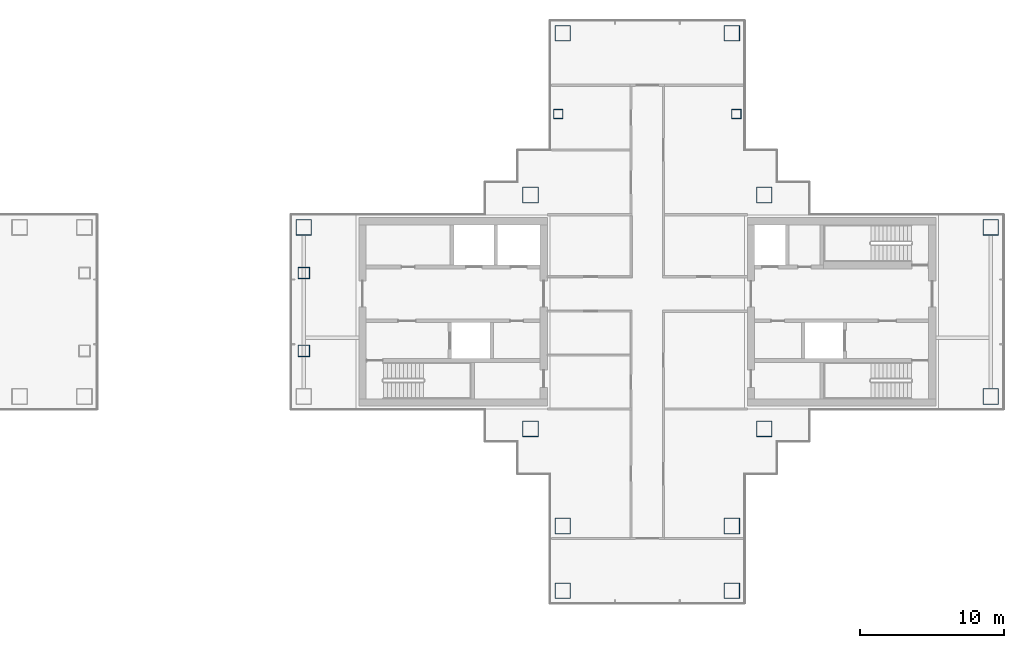
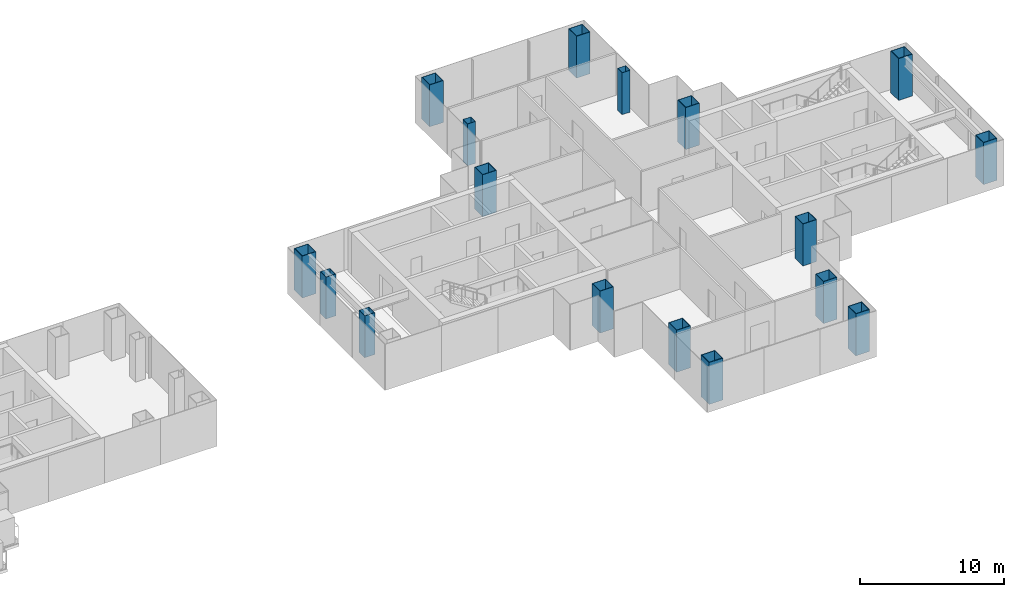
# One storey, part 2 of 16: 17 columns.
"""IFC4 building model written with IfcOpenShell, lengths in metres."""

import ifcopenshell
import ifcopenshell.guid

model = None  # the IFC model being written
_history = None  # IfcOwnerHistory: only IFC2X3 demands one
_inside = {}  # id of a spatial element -> (the spatial element, [elements in it])
_under = {}  # id of a project, library or spatial element -> (it, [spatial elements below it])
_declared = {}  # id of a project -> (the project, [libraries it declares])
_typed = {}  # id of a type object -> (the type object, [elements of that type])
_made_of = {}  # id of a material, layer set ... -> (it, [elements and type objects made of it])


def new_model(schema):
    """Start an empty IFC model of exactly this schema.

    Asked for "IFC4X3", IfcOpenShell would pick the latest addendum, in which some entities
    have other attributes; the version numbers below select the first issue.
    IFC2X3 requires an IfcOwnerHistory on every rooted entity: one is made here for all.
    """
    global model, _history
    if schema == "IFC4X3":
        model = ifcopenshell.file(schema_version=(4, 3, 0, 0))
    else:
        model = ifcopenshell.file(schema=schema)
    _inside.clear()
    _under.clear()
    _declared.clear()
    _typed.clear()
    _made_of.clear()
    _history = None
    if model.schema == "IFC2X3":
        org = make("IfcOrganization", Name="unknown")
        user = make(
            "IfcPersonAndOrganization",
            ThePerson=make("IfcPerson", FamilyName="unknown"),
            TheOrganization=org,
        )
        app = make(
            "IfcApplication",
            ApplicationDeveloper=org,
            Version="unknown",
            ApplicationFullName="unknown",
            ApplicationIdentifier="unknown",
        )
        _history = make(
            "IfcOwnerHistory",
            OwningUser=user,
            OwningApplication=app,
            ChangeAction="ADDED",
            CreationDate=0,
        )
    return model


def make(cls, **values):
    """One entity of the class cls with the attributes given. An attribute that is None is left unset."""
    return model.create_entity(
        cls, **{name: value for name, value in values.items() if value is not None}
    )


def rooted(cls, **values):
    """An entity with a GlobalId (a new one), such as an element, a storey or a relation."""
    return make(cls, GlobalId=ifcopenshell.guid.new(), OwnerHistory=_history, **values)


def si_unit(unit_type, name, prefix=None):
    """IfcSIUnit, for example si_unit("LENGTHUNIT", "METRE", prefix="MILLI")."""
    return make("IfcSIUnit", UnitType=unit_type, Prefix=prefix, Name=name)


def assignment(units):
    """IfcUnitAssignment: the units of a project."""
    return None if units is None else make("IfcUnitAssignment", Units=units)


def point(xyz):
    """IfcCartesianPoint."""
    return None if xyz is None else make("IfcCartesianPoint", Coordinates=xyz)


def direction(xyz):
    """IfcDirection."""
    return None if xyz is None else make("IfcDirection", DirectionRatios=xyz)


def frame(location, z_axis=None, x_axis=None):
    """IfcAxis2Placement3D, a coordinate frame: its origin and axes. An axis left out is left unset."""
    return make(
        "IfcAxis2Placement3D",
        Location=point(location),
        Axis=direction(z_axis),
        RefDirection=direction(x_axis),
    )


def frame_2d(location, x_axis=None):
    """IfcAxis2Placement2D, a coordinate frame in the plane: its origin and x axis."""
    return make(
        "IfcAxis2Placement2D", Location=point(location), RefDirection=direction(x_axis)
    )


def origin():
    """The frame at (0, 0, 0) with its axes left unset."""
    return frame((0.0, 0.0, 0.0))


def origin_2d():
    """The frame at (0, 0) in the plane with its x axis left unset."""
    return frame_2d((0.0, 0.0))


def place(relative_to, where):
    """IfcLocalPlacement: puts the frame where relative to a parent placement (None: the world)."""
    return make(
        "IfcLocalPlacement", PlacementRelTo=relative_to, RelativePlacement=where
    )


def context(
    kind, dimensions, precision=None, world=None, true_north=None, identifier=None
):
    """IfcGeometricRepresentationContext, for example the 3D "Model" context."""
    return make(
        "IfcGeometricRepresentationContext",
        ContextIdentifier=identifier,
        ContextType=kind,
        CoordinateSpaceDimension=dimensions,
        Precision=precision,
        WorldCoordinateSystem=world,
        TrueNorth=true_north,
    )


def subcontext(parent, identifier, kind, view, scale=None):
    """IfcGeometricRepresentationSubContext, for example "Body" below "Model"."""
    return make(
        "IfcGeometricRepresentationSubContext",
        ContextIdentifier=identifier,
        ContextType=kind,
        ParentContext=parent,
        TargetScale=scale,
        TargetView=view,
    )


def project(units=None, contexts=None):
    """IfcProject with its units and contexts."""
    return rooted(
        "IfcProject",
        Name="project",
        RepresentationContexts=contexts,
        UnitsInContext=assignment(units),
    )


def spatial(cls, under=None, at=None, **own):
    """A site, building, storey or space (cls), placed at a placement, below another one or the project."""
    s = rooted(cls, ObjectPlacement=at, **own)
    if under is not None:
        _under.setdefault(under.id(), (under, []))[1].append(s)
    return s


def profile(cls, at=None, kind="AREA", **sizes):
    """A parametric profile (cls). Its sizes go by their IFC names, for example OverallWidth=200.0."""
    return make(cls, ProfileType=kind, Position=at, **sizes)


def hollow_rectangle(**sizes):
    """IfcRectangleHollowProfileDef."""
    return profile("IfcRectangleHollowProfileDef", **sizes)


def extrude(swept, where, along, depth):
    """IfcExtrudedAreaSolid: the profile swept, set in the frame where, extruded along a direction by depth."""
    return make(
        "IfcExtrudedAreaSolid",
        SweptArea=swept,
        Position=where,
        ExtrudedDirection=direction(along),
        Depth=depth,
    )


def shape(context_of_items, identifier, shape_type, items):
    """IfcShapeRepresentation: the items that make up one representation, for example the "Body"."""
    return make(
        "IfcShapeRepresentation",
        ContextOfItems=context_of_items,
        RepresentationIdentifier=identifier,
        RepresentationType=shape_type,
        Items=items,
    )


def material(Name=None, Category=None):
    """IfcMaterial."""
    return make("IfcMaterial", Name=Name, Category=Category)


def material_profile(
    of_material, cross_section, Name=None, Category=None, Priority=None
):
    """IfcMaterialProfile: a cross section and its material."""
    return make(
        "IfcMaterialProfile",
        Name=Name,
        Material=of_material,
        Profile=cross_section,
        Priority=Priority,
        Category=Category,
    )


def profile_set(profiles, Name=None, composite=None):
    """IfcMaterialProfileSet."""
    return make(
        "IfcMaterialProfileSet",
        Name=Name,
        MaterialProfiles=profiles,
        CompositeProfile=composite,
    )


def made_of(thing, what):
    """Note that an element or type object is made of a material, layer set ...; save() writes the relation."""
    if what is not None:
        _made_of.setdefault(what.id(), (what, []))[1].append(thing)
    return thing


def type_object(cls, material=None, **own):
    """A type object (cls), such as IfcWallType, which elements share."""
    return made_of(rooted(cls, **own), material)


def element(
    cls,
    number,
    at=None,
    inside=None,
    cuts=None,
    type_object=None,
    material=None,
    context=None,
    identifier="Body",
    shape_type=None,
    held_by="IfcProductDefinitionShape",
    body=None,
    shapes=None,
    **own,
):
    """One element of the class cls, such as IfcWall. Its Tag is "e" and its number.

    at: its placement. inside: the storey or other place that contains it. cuts: it is an
    opening in that element (IfcRelVoidsElement). A single representation is given by context,
    identifier, shape_type and body (its items); several are given by shapes. held_by: the class
    of the entity that holds the representations. save() writes the other relations.
    """
    e = rooted(cls, Tag="e%d" % number, ObjectPlacement=at, **own)
    if body is not None:
        shapes = [shape(context, identifier, shape_type, body)]
    if shapes is not None:
        e.Representation = make(held_by, Representations=shapes)
    if inside is not None:
        _inside.setdefault(inside.id(), (inside, []))[1].append(e)
    if cuts is not None:
        rooted(
            "IfcRelVoidsElement", RelatingBuildingElement=cuts, RelatedOpeningElement=e
        )
    if type_object is not None:
        _typed.setdefault(type_object.id(), (type_object, []))[1].append(e)
    return made_of(e, material)


def aggregate(whole, parts):
    """IfcRelAggregates: a whole, such as a stair, and the parts it consists of."""
    return rooted("IfcRelAggregates", RelatingObject=whole, RelatedObjects=parts)


def save(model, path):
    """Write the relations noted so far, then the file.

    IfcRelAggregates (storeys below a building ...), IfcRelContainedInSpatialStructure (elements
    in a storey), IfcRelDefinesByType, IfcRelAssociatesMaterial and IfcRelDeclares: one each for
    every whole, place, type object, material and project.
    """
    for whole, parts in _under.values():
        aggregate(whole, parts)
    for where, things in _inside.values():
        rooted(
            "IfcRelContainedInSpatialStructure",
            RelatedElements=things,
            RelatingStructure=where,
        )
    for kind, things in _typed.values():
        rooted("IfcRelDefinesByType", RelatedObjects=things, RelatingType=kind)
    for what, things in _made_of.values():
        rooted("IfcRelAssociatesMaterial", RelatedObjects=things, RelatingMaterial=what)
    for by, libraries in _declared.values():
        rooted("IfcRelDeclares", RelatingContext=by, RelatedDefinitions=libraries)
    model.write(path)


model = new_model("IFC4")

# Units and contexts
model_context = context("Model", 3, precision=1e-05, world=origin(), true_north=direction((0.0, 1.0)))
body_context = subcontext(model_context, "Body", "Model", "MODEL_VIEW")
ifc_project = project(units=[si_unit("LENGTHUNIT", "METRE"), si_unit("AREAUNIT", "SQUARE_METRE"), si_unit("VOLUMEUNIT", "CUBIC_METRE"), si_unit("PLANEANGLEUNIT", "RADIAN"), si_unit("MASSUNIT", "GRAM", prefix="KILO")], contexts=[model_context])

# Site, building, storey
site_placement = place(None, origin())
site = spatial("IfcSite", under=ifc_project, at=site_placement, CompositionType="ELEMENT")
building_placement = place(site_placement, origin())
building = spatial("IfcBuilding", under=site, at=building_placement, Name="Shamsa Quay Exchange Towers", CompositionType="ELEMENT")
storey_placement = place(building_placement, frame((0.0, 0.0, 150.60009765625)))
storey = spatial("IfcBuildingStorey", under=building, at=storey_placement, Name="L35", CompositionType="ELEMENT", Elevation=150.60009765625)

# Columns
ifc_material_1 = material(Name="Concrete-filled steel tube S355 / C80/95", Category="concrete")
ifc_material_profile_1 = material_profile(ifc_material_1, hollow_rectangle(XDim=1.10009765625, YDim=1.10009765625, WallThickness=0.0400390625, at=origin_2d()), Name="CFT 1100x1100x40")
ifc_profile_set_1 = profile_set([ifc_material_profile_1], Name="Concrete-filled steel tube S355 / C80/95")
column_type_1 = type_object("IfcColumnType", Name="Column CFT 1100x1100x40", PredefinedType="COLUMN", material=ifc_profile_set_1)
for number, where, name in (
    (1, (25.625, 8.125, 0.0), "Mega column T2-CM01"),
    (2, (41.875, 8.125, 0.0), "Mega column T2-CM02"),
    (3, (25.625, -8.125, 0.0), "Mega column T2-CM03"),
    (4, (41.875, -8.125, 0.0), "Mega column T2-CM04"),
    (5, (39.625, 19.375, 0.0), "Mega column T2-CM06"),
    (6, (27.875, 19.375, 0.0), "Mega column T2-CM10"),
    (7, (39.625, -14.875, 0.0), "Mega column T2-CM13"),
    (8, (39.625, -19.375, 0.0), "Mega column T2-CM14"),
    (9, (27.875, -14.875, 0.0), "Mega column T2-CM16"),
    (10, (27.875, -19.375, 0.0), "Mega column T2-CM17"),
    (11, (9.875, 5.875, 0.0), "Mega column T2-CM20"),
    (12, (57.625, -5.875, 0.0), "Mega column T2-CM21"),
    (13, (57.625, 5.875, 0.0), "Mega column T2-CM23"),
):
    element("IfcColumn", number, at=place(storey_placement, frame(where)), inside=storey, type_object=column_type_1, Name=name, PredefinedType="COLUMN", context=body_context, shape_type="SweptSolid", body=[
        extrude(hollow_rectangle(XDim=1.10009765625, YDim=1.10009765625, WallThickness=0.0400390625, at=origin_2d()), origin(), (0.0, 0.0, 1.0), 3.5498046875),
    ])
ifc_material_2 = material(Name="Concrete-filled steel tube S355 / C60/75", Category="concrete")
ifc_material_profile_2 = material_profile(ifc_material_2, hollow_rectangle(XDim=0.64990234375, YDim=0.64990234375, WallThickness=0.02001953125, at=origin_2d()), Name="CFT 650x650x20")
ifc_profile_set_2 = profile_set([ifc_material_profile_2], Name="Concrete-filled steel tube S355 / C60/75")
column_type_2 = type_object("IfcColumnType", Name="Column CFT 650x650x20", PredefinedType="COLUMN", material=ifc_profile_set_2)
for number, where, name in (
    (14, (39.9375, 13.75, 0.0), "Perimeter column T2-CP05"),
    (15, (27.5625, 13.75, 0.0), "Perimeter column T2-CP09"),
):
    element("IfcColumn", number, at=place(storey_placement, frame(where)), inside=storey, type_object=column_type_2, Name=name, PredefinedType="COLUMN", context=body_context, shape_type="SweptSolid", body=[
        extrude(hollow_rectangle(XDim=0.64990234375, YDim=0.64990234375, WallThickness=0.02001953125, at=origin_2d()), origin(), (0.0, 0.0, 1.0), 3.5498046875),
    ])
ifc_material_3 = material(Name="Concrete-filled steel tube S355 / C70/85", Category="concrete")
ifc_material_profile_3 = material_profile(ifc_material_3, hollow_rectangle(XDim=0.800048828125, YDim=0.800048828125, WallThickness=0.030029296875, at=origin_2d()), Name="CFT 800x800x30")
ifc_profile_set_3 = profile_set([ifc_material_profile_3], Name="Concrete-filled steel tube S355 / C70/85")
column_type_3 = type_object("IfcColumnType", Name="Landing column CFT 800x800x30", PredefinedType="COLUMN", material=ifc_profile_set_3)
for number, where, name in (
    (16, (9.875, -2.699951171875, 0.0), "Landing column T2 S"),
    (17, (9.875, 2.699951171875, 0.0), "Landing column T2 N"),
):
    element("IfcColumn", number, at=place(storey_placement, frame(where)), inside=storey, type_object=column_type_3, Name=name, PredefinedType="COLUMN", context=body_context, shape_type="SweptSolid", body=[
        extrude(hollow_rectangle(XDim=0.800048828125, YDim=0.800048828125, WallThickness=0.030029296875, at=origin_2d()), origin(), (0.0, 0.0, 1.0), 3.5498046875),
    ])

save(model, "model.ifc")
